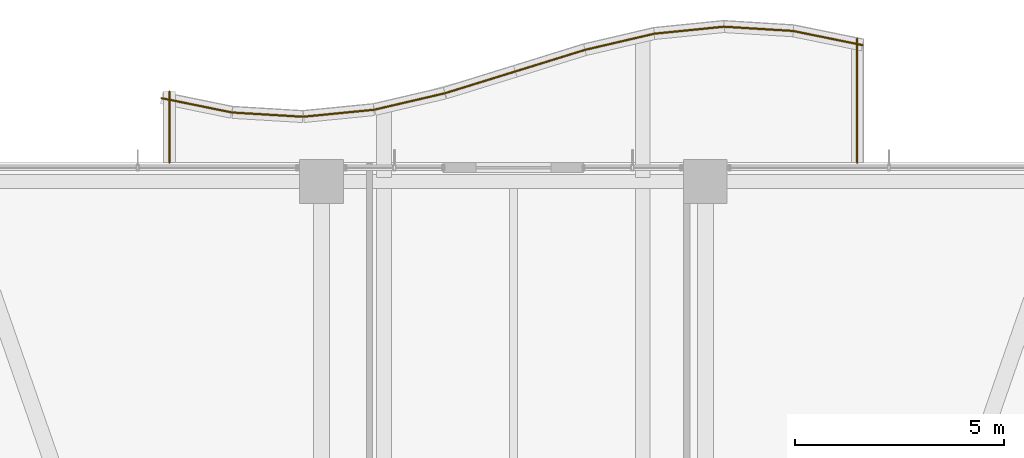
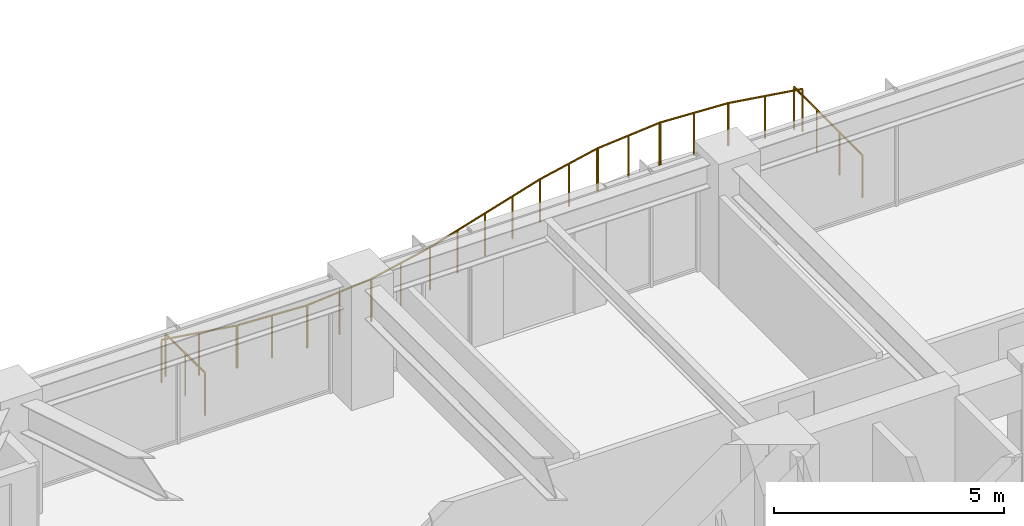
# One storey, part 38 of 38: 12 railings.
"""IFC4 building model written with IfcOpenShell, lengths in metres."""

from ifc_helpers import new_model, si_unit, direction, frame, origin, origin_2d, place, context, subcontext, project, spatial, circle, extrude, material, type_object, element, save


model = new_model("IFC4")

# Units and contexts
model_context = context("Model", 3, precision=1e-05, world=origin(), true_north=direction((0.0, 1.0)))
body_context = subcontext(model_context, "Body", "Model", "MODEL_VIEW")
ifc_project = project(units=[si_unit("LENGTHUNIT", "METRE"), si_unit("AREAUNIT", "SQUARE_METRE"), si_unit("VOLUMEUNIT", "CUBIC_METRE"), si_unit("PLANEANGLEUNIT", "RADIAN"), si_unit("MASSUNIT", "GRAM", prefix="KILO")], contexts=[model_context])

# Site, building, storey
site_placement = place(None, origin())
site = spatial("IfcSite", under=ifc_project, at=site_placement, CompositionType="ELEMENT")
building_placement = place(site_placement, origin())
building = spatial("IfcBuilding", under=site, at=building_placement, Name="Kolvaren Belvedere", CompositionType="ELEMENT")
storey_placement = place(building_placement, frame((0.0, 0.0, 98.60009765625)))
storey = spatial("IfcBuildingStorey", under=building, at=storey_placement, Name="L28", CompositionType="ELEMENT", Elevation=98.60009765625)

# Railings
ifc_material = material(Name="Anodised pale-metal aluminium & laminated glass guard", Category="aluminium")
railing_type = type_object("IfcRailingType", Name="RL-GUARD-1150", PredefinedType="GUARDRAIL", material=ifc_material)
railing_1_placement = place(storey_placement, frame((8.239990234375, 20.39990234375, 0.3798828125)))
element("IfcRailing", 1, at=railing_1_placement, inside=storey, type_object=railing_type, Name="L28 Exterior Deck Safety Guard BAL-N-11", PredefinedType="GUARDRAIL", context=body_context, shape_type="SweptSolid", body=[
    extrude(circle(Radius=0.02392578125, at=origin_2d()), frame((0.0, 0.0, 1.1259765625), z_axis=(0.0, 1.0, 0.0), x_axis=(-1.0, 0.0, 0.0)), (0.0, 0.0, 1.0), 2.974853515625),
    extrude(circle(Radius=0.02099609375, at=origin_2d()), origin(), (0.0, 0.0, 1.0), 1.101806640625),
    extrude(circle(Radius=0.02099609375, at=origin_2d()), frame((0.0, 0.99169921875, 0.0)), (0.0, 0.0, 1.0), 1.101806640625),
    extrude(circle(Radius=0.02099609375, at=origin_2d()), frame((0.0, 1.983154296875, 0.0)), (0.0, 0.0, 1.0), 1.101806640625),
    extrude(circle(Radius=0.02099609375, at=origin_2d()), frame((0.0, 2.974853515625, 0.0)), (0.0, 0.0, 1.0), 1.101806640625),
])
railing_2_placement = place(storey_placement, frame((8.367919921875, 23.218017578125, 0.3798828125)))
element("IfcRailing", 2, at=railing_2_placement, inside=storey, type_object=railing_type, Name="L28 Exterior Deck Safety Guard BAL-N-12", PredefinedType="GUARDRAIL", context=body_context, shape_type="SweptSolid", body=[
    extrude(circle(Radius=0.02392578125, at=origin_2d()), frame((0.0, 0.0, 1.1259765625), z_axis=(-0.979867779516, 0.199647526069, 0.0), x_axis=(-0.199647526069, -0.979867779516, 0.0)), (0.0, 0.0, 1.0), 1.71435546875),
    extrude(circle(Radius=0.02099609375, at=origin_2d()), origin(), (0.0, 0.0, 1.0), 1.101806640625),
    extrude(circle(Radius=0.02099609375, at=origin_2d()), frame((-0.83984375, 0.171142578125, 0.0)), (0.0, 0.0, 1.0), 1.101806640625),
    extrude(circle(Radius=0.02099609375, at=origin_2d()), frame((-1.679931640625, 0.34228515625, 0.0)), (0.0, 0.0, 1.0), 1.101806640625),
])
railing_3_placement = place(storey_placement, frame((6.710205078125, 23.5576171875, 0.3798828125)))
element("IfcRailing", 3, at=railing_3_placement, inside=storey, type_object=railing_type, Name="L28 Exterior Deck Safety Guard BAL-N-13", PredefinedType="GUARDRAIL", context=body_context, shape_type="SweptSolid", body=[
    extrude(circle(Radius=0.02392578125, at=origin_2d()), frame((0.0, 0.0, 1.1259765625), z_axis=(-0.998133560666, 0.061068773295, 0.0), x_axis=(-0.061068773295, -0.998133560666, 0.0)), (0.0, 0.0, 1.0), 1.68310546875),
    extrude(circle(Radius=0.02099609375, at=origin_2d()), origin(), (0.0, 0.0, 1.0), 1.101806640625),
    extrude(circle(Radius=0.02099609375, at=origin_2d()), frame((-0.83984375, 0.05126953125, 0.0)), (0.0, 0.0, 1.0), 1.101806640625),
    extrude(circle(Radius=0.02099609375, at=origin_2d()), frame((-1.679931640625, 0.102783203125, 0.0)), (0.0, 0.0, 1.0), 1.101806640625),
])
railing_4_placement = place(storey_placement, frame((5.055908203125, 23.660888671875, 0.3798828125)))
element("IfcRailing", 4, at=railing_4_placement, inside=storey, type_object=railing_type, Name="L28 Exterior Deck Safety Guard BAL-N-14", PredefinedType="GUARDRAIL", context=body_context, shape_type="SweptSolid", body=[
    extrude(circle(Radius=0.02392578125, at=origin_2d()), frame((0.0, 0.0, 1.1259765625), z_axis=(-0.995024296308, -0.099632573776, 0.0), x_axis=(0.099632573776, -0.995024296308, 0.0)), (0.0, 0.0, 1.0), 1.688232421875),
    extrude(circle(Radius=0.02099609375, at=origin_2d()), origin(), (0.0, 0.0, 1.0), 1.101806640625),
    extrude(circle(Radius=0.02099609375, at=origin_2d()), frame((-0.83984375, -0.083984375, 0.0)), (0.0, 0.0, 1.0), 1.101806640625),
    extrude(circle(Radius=0.02099609375, at=origin_2d()), frame((-1.679931640625, -0.168212890625, 0.0)), (0.0, 0.0, 1.0), 1.101806640625),
])
railing_5_placement = place(storey_placement, frame((3.396240234375, 23.49609375, 0.3798828125)))
element("IfcRailing", 5, at=railing_5_placement, inside=storey, type_object=railing_type, Name="L28 Exterior Deck Safety Guard BAL-N-15", PredefinedType="GUARDRAIL", context=body_context, shape_type="SweptSolid", body=[
    extrude(circle(Radius=0.02392578125, at=origin_2d()), frame((0.0, 0.0, 1.1259765625), z_axis=(-0.973890253884, -0.227019323824, 0.0), x_axis=(0.227019323824, -0.973890253884, 0.0)), (0.0, 0.0, 1.0), 1.724853515625),
    extrude(circle(Radius=0.02099609375, at=origin_2d()), origin(), (0.0, 0.0, 1.0), 1.101806640625),
    extrude(circle(Radius=0.02099609375, at=origin_2d()), frame((-0.83984375, -0.19580078125, 0.0)), (0.0, 0.0, 1.0), 1.101806640625),
    extrude(circle(Radius=0.02099609375, at=origin_2d()), frame((-1.679931640625, -0.3916015625, 0.0)), (0.0, 0.0, 1.0), 1.101806640625),
])
railing_6_placement = place(storey_placement, frame((1.727294921875, 23.107421875, 0.3798828125)))
element("IfcRailing", 6, at=railing_6_placement, inside=storey, type_object=railing_type, Name="L28 Exterior Deck Safety Guard BAL-N-16", PredefinedType="GUARDRAIL", context=body_context, shape_type="SweptSolid", body=[
    extrude(circle(Radius=0.02392578125, at=origin_2d()), frame((0.0, 0.0, 1.1259765625), z_axis=(-0.95524013163, -0.295831524561, 0.0), x_axis=(0.295831524561, -0.95524013163, 0.0)), (0.0, 0.0, 1.0), 1.758544921875),
    extrude(circle(Radius=0.02099609375, at=origin_2d()), origin(), (0.0, 0.0, 1.0), 1.101806640625),
    extrude(circle(Radius=0.02099609375, at=origin_2d()), frame((-0.83984375, -0.26025390625, 0.0)), (0.0, 0.0, 1.0), 1.101806640625),
    extrude(circle(Radius=0.02099609375, at=origin_2d()), frame((-1.679931640625, -0.520263671875, 0.0)), (0.0, 0.0, 1.0), 1.101806640625),
])
railing_7_placement = place(storey_placement, frame((0.04736328125, 22.587158203125, 0.3798828125)))
element("IfcRailing", 7, at=railing_7_placement, inside=storey, type_object=railing_type, Name="L28 Exterior Deck Safety Guard BAL-N-17", PredefinedType="GUARDRAIL", context=body_context, shape_type="SweptSolid", body=[
    extrude(circle(Radius=0.02392578125, at=origin_2d()), frame((0.0, 0.0, 1.1259765625), z_axis=(-0.955252278476, -0.29579229954, 0.0), x_axis=(0.29579229954, -0.955252278476, 0.0)), (0.0, 0.0, 1.0), 1.7587890625),
    extrude(circle(Radius=0.02099609375, at=origin_2d()), origin(), (0.0, 0.0, 1.0), 1.101806640625),
    extrude(circle(Radius=0.02099609375, at=origin_2d()), frame((-0.840087890625, -0.26025390625, 0.0)), (0.0, 0.0, 1.0), 1.101806640625),
    extrude(circle(Radius=0.02099609375, at=origin_2d()), frame((-1.68017578125, -0.520263671875, 0.0)), (0.0, 0.0, 1.0), 1.101806640625),
])
railing_8_placement = place(storey_placement, frame((-1.643798828125, 22.06396484375, 0.3798828125)))
element("IfcRailing", 8, at=railing_8_placement, inside=storey, type_object=railing_type, Name="L28 Exterior Deck Safety Guard BAL-N-18", PredefinedType="GUARDRAIL", context=body_context, shape_type="SweptSolid", body=[
    extrude(circle(Radius=0.02392578125, at=origin_2d()), frame((0.0, 0.0, 1.1259765625), z_axis=(-0.973890253884, -0.227019323824, 0.0), x_axis=(0.227019323824, -0.973890253884, 0.0)), (0.0, 0.0, 1.0), 1.724853515625),
    extrude(circle(Radius=0.02099609375, at=origin_2d()), origin(), (0.0, 0.0, 1.0), 1.101806640625),
    extrude(circle(Radius=0.02099609375, at=origin_2d()), frame((-0.83984375, -0.19580078125, 0.0)), (0.0, 0.0, 1.0), 1.101806640625),
    extrude(circle(Radius=0.02099609375, at=origin_2d()), frame((-1.679931640625, -0.3916015625, 0.0)), (0.0, 0.0, 1.0), 1.101806640625),
])
railing_9_placement = place(storey_placement, frame((-3.34423828125, 21.6689453125, 0.3798828125)))
element("IfcRailing", 9, at=railing_9_placement, inside=storey, type_object=railing_type, Name="L28 Exterior Deck Safety Guard BAL-N-19", PredefinedType="GUARDRAIL", context=body_context, shape_type="SweptSolid", body=[
    extrude(circle(Radius=0.02392578125, at=origin_2d()), frame((0.0, 0.0, 1.1259765625), z_axis=(-0.995153897624, -0.098329649867, 0.0), x_axis=(0.098329649867, -0.995153897624, 0.0)), (0.0, 0.0, 1.0), 1.6884765625),
    extrude(circle(Radius=0.02099609375, at=origin_2d()), origin(), (0.0, 0.0, 1.0), 1.101806640625),
    extrude(circle(Radius=0.02099609375, at=origin_2d()), frame((-0.840087890625, -0.0830078125, 0.0)), (0.0, 0.0, 1.0), 1.101806640625),
    extrude(circle(Radius=0.02099609375, at=origin_2d()), frame((-1.68017578125, -0.166015625, 0.0)), (0.0, 0.0, 1.0), 1.101806640625),
])
railing_10_placement = place(storey_placement, frame((-5.049560546875, 21.50244140625, 0.3798828125)))
element("IfcRailing", 10, at=railing_10_placement, inside=storey, type_object=railing_type, Name="L28 Exterior Deck Safety Guard BAL-N-20", PredefinedType="GUARDRAIL", context=body_context, shape_type="SweptSolid", body=[
    extrude(circle(Radius=0.02392578125, at=origin_2d()), frame((0.0, 0.0, 1.1259765625), z_axis=(-0.998212296378, 0.059767979379, 0.0), x_axis=(-0.059767979379, -0.998212296378, 0.0)), (0.0, 0.0, 1.0), 1.682861328125),
    extrude(circle(Radius=0.02099609375, at=origin_2d()), origin(), (0.0, 0.0, 1.0), 1.101806640625),
    extrude(circle(Radius=0.02099609375, at=origin_2d()), frame((-0.83984375, 0.05029296875, 0.0)), (0.0, 0.0, 1.0), 1.101806640625),
    extrude(circle(Radius=0.02099609375, at=origin_2d()), frame((-1.679931640625, 0.1005859375, 0.0)), (0.0, 0.0, 1.0), 1.101806640625),
])
railing_11_placement = place(storey_placement, frame((-6.751953125, 21.60595703125, 0.3798828125)))
element("IfcRailing", 11, at=railing_11_placement, inside=storey, type_object=railing_type, Name="L28 Exterior Deck Safety Guard BAL-N-21", PredefinedType="GUARDRAIL", context=body_context, shape_type="SweptSolid", body=[
    extrude(circle(Radius=0.02392578125, at=origin_2d()), frame((0.0, 0.0, 1.1259765625), z_axis=(-0.979839912937, 0.199784246163, 0.0), x_axis=(-0.199784246163, -0.979839912937, 0.0)), (0.0, 0.0, 1.0), 1.714599609375),
    extrude(circle(Radius=0.02099609375, at=origin_2d()), origin(), (0.0, 0.0, 1.0), 1.101806640625),
    extrude(circle(Radius=0.02099609375, at=origin_2d()), frame((-0.83984375, 0.17138671875, 0.0)), (0.0, 0.0, 1.0), 1.101806640625),
    extrude(circle(Radius=0.02099609375, at=origin_2d()), frame((-1.679931640625, 0.342529296875, 0.0)), (0.0, 0.0, 1.0), 1.101806640625),
])
railing_12_placement = place(storey_placement, frame((-8.239990234375, 22.105224609375, 0.3798828125)))
element("IfcRailing", 12, at=railing_12_placement, inside=storey, type_object=railing_type, Name="L28 Exterior Deck Safety Guard BAL-N-22", PredefinedType="GUARDRAIL", context=body_context, shape_type="SweptSolid", body=[
    extrude(circle(Radius=0.02392578125, at=origin_2d()), frame((0.0, 0.0, 1.1259765625), z_axis=(0.0, -1.0, 0.0), x_axis=(1.0, 0.0, 0.0)), (0.0, 0.0, 1.0), 1.705322265625),
    extrude(circle(Radius=0.02099609375, at=origin_2d()), origin(), (0.0, 0.0, 1.0), 1.101806640625),
    extrude(circle(Radius=0.02099609375, at=origin_2d()), frame((0.0, -0.8525390625, 0.0)), (0.0, 0.0, 1.0), 1.101806640625),
    extrude(circle(Radius=0.02099609375, at=origin_2d()), frame((0.0, -1.705322265625, 0.0)), (0.0, 0.0, 1.0), 1.101806640625),
])

save(model, "model.ifc")
